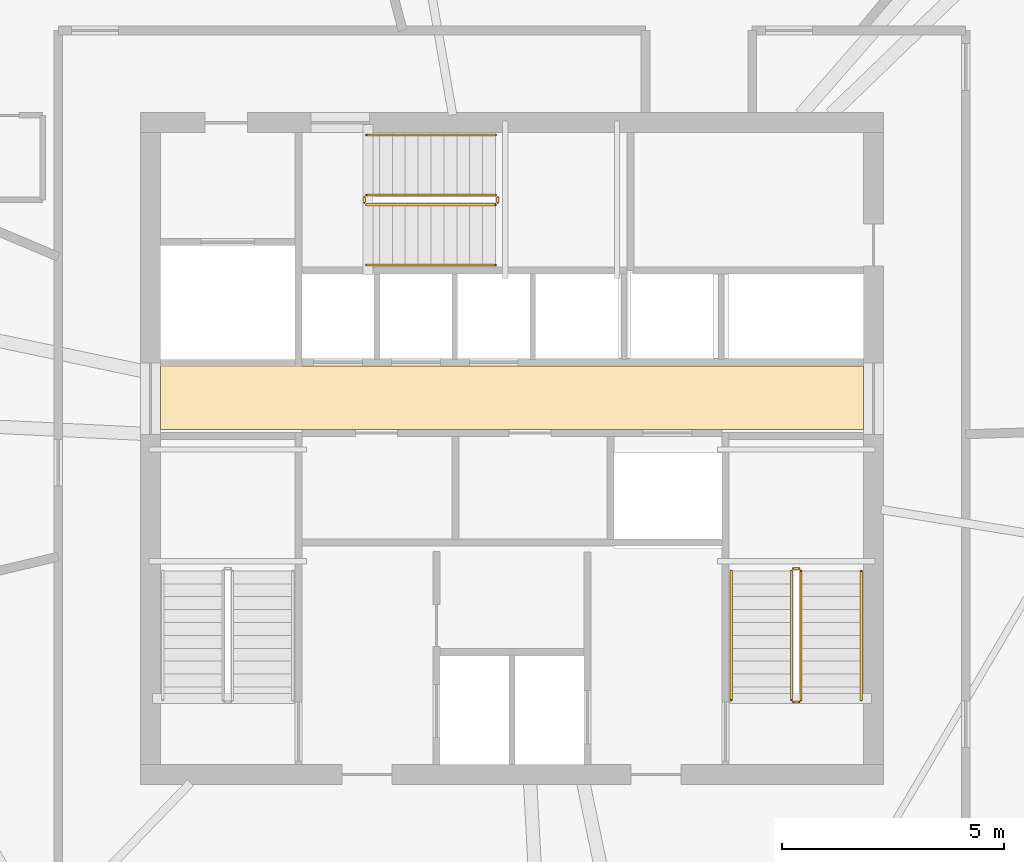
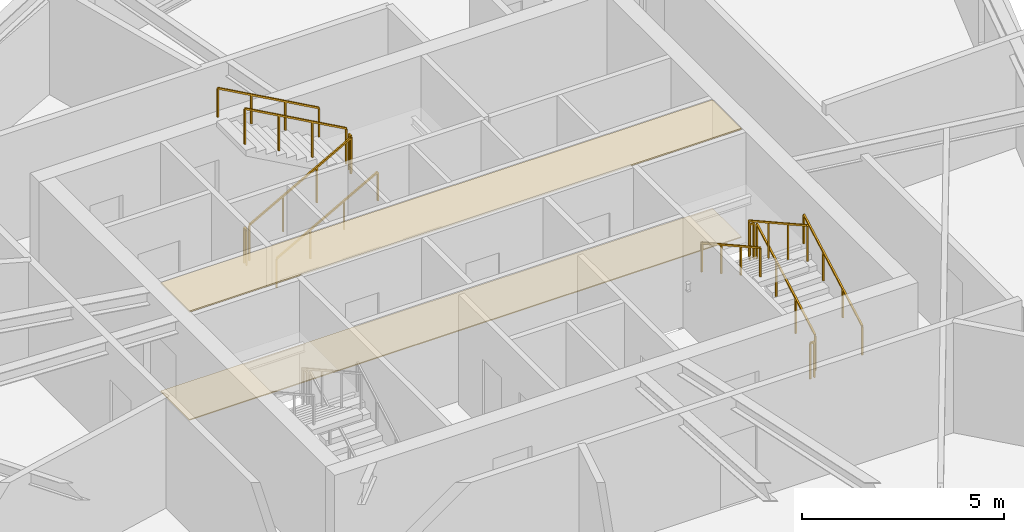
# One storey, part 13 of 14: 12 railings, 2 coverings.
"""IFC4 building model written with IfcOpenShell, lengths in metres."""

from ifc_helpers import new_model, si_unit, direction, frame, origin, origin_2d, place, context, subcontext, project, spatial, polyline, rectangle, outline, extrude, material, layer, layer_set, type_object, element, save


model = new_model("IFC4")

# Units and contexts
model_context = context("Model", 3, precision=1e-05, world=origin(), true_north=direction((0.0, 1.0)))
body_context = subcontext(model_context, "Body", "Model", "MODEL_VIEW")
ifc_project = project(units=[si_unit("LENGTHUNIT", "METRE"), si_unit("AREAUNIT", "SQUARE_METRE"), si_unit("VOLUMEUNIT", "CUBIC_METRE"), si_unit("PLANEANGLEUNIT", "RADIAN"), si_unit("MASSUNIT", "GRAM", prefix="KILO")], contexts=[model_context])

# Site, building, storey
site_placement = place(None, origin())
site = spatial("IfcSite", under=ifc_project, at=site_placement, CompositionType="ELEMENT")
building_placement = place(site_placement, origin())
building = spatial("IfcBuilding", under=site, at=building_placement, Name="Olszyna Solenne Hotel", CompositionType="ELEMENT")
storey_placement = place(building_placement, frame((0.0, 0.0, 220.25)))
storey = spatial("IfcBuildingStorey", under=building, at=storey_placement, Name="L58", CompositionType="ELEMENT", Elevation=220.25)

# Coverings
ifc_material_1 = material(Name="Mineral wool acoustic ceiling")
ifc_layer_1 = layer(ifc_material_1, 0.0400390625, Name="Mineral wool acoustic ceiling")
ifc_layer_set_1 = layer_set([ifc_layer_1], Name="Mineral wool acoustic ceiling")
covering_type_1 = type_object("IfcCoveringType", Name="CL-AC1", PredefinedType="CEILING", material=ifc_layer_set_1)
covering_1_placement = place(storey_placement, frame((0.0, 0.0, 3.27001953125)))
element("IfcCovering", 1, at=covering_1_placement, inside=storey, type_object=covering_type_1, Name="Lift lobby acoustic tile ceiling CL-L58-01", PredefinedType="CEILING", context=body_context, shape_type="SweptSolid", body=[
    extrude(outline(polyline([(30.10009765625, 27.030029296875), (45.89990234375, 27.030029296875), (45.89990234375, 28.4599609375), (30.10009765625, 28.4599609375), (30.10009765625, 27.030029296875)])), origin(), (0.0, 0.0, 1.0), 0.0400390625),
])
ifc_material_2 = material(Name="Ceramic floor tile")
ifc_layer_2 = layer(ifc_material_2, 0.030029296875, Name="Ceramic floor tile")
ifc_layer_set_2 = layer_set([ifc_layer_2], Name="Ceramic floor tile")
covering_type_2 = type_object("IfcCoveringType", Name="FL-TL1", PredefinedType="FLOORING", material=ifc_layer_set_2)
covering_2_placement = place(storey_placement, origin())
element("IfcCovering", 2, at=covering_2_placement, inside=storey, type_object=covering_type_2, Name="Lift lobby stoneware floor finish FLR-L58-01", PredefinedType="FLOORING", context=body_context, shape_type="SweptSolid", body=[
    extrude(outline(polyline([(30.10009765625, 27.030029296875), (45.89990234375, 27.030029296875), (45.89990234375, 28.4599609375), (30.10009765625, 28.4599609375), (30.10009765625, 27.030029296875)])), origin(), (0.0, 0.0, 1.0), 0.030029296875),
])

# Railings
ifc_material_3 = material(Name="Anodised bronze aluminium", Category="aluminium")
railing_type_1 = type_object("IfcRailingType", Name="GR-110", PredefinedType="BALUSTRADE", material=ifc_material_3)
railing_1_placement = place(storey_placement, frame((44.5, 20.949951171875, 0.161376953125)))
element("IfcRailing", 3, at=railing_1_placement, inside=storey, type_object=railing_type_1, Name="L58 ST2 stair guard 1", PredefinedType="BALUSTRADE", context=body_context, shape_type="SweptSolid", body=[
    extrude(rectangle(XDim=0.048095703125, YDim=0.048095703125, at=origin_2d()), frame((0.0, 0.0, 1.076171875), z_axis=(0.0, 0.873858693841, 0.486179990537), x_axis=(-1.0, 0.0, 0.0)), (0.0, 0.0, 1.0), 3.31884765625),
    extrude(rectangle(XDim=0.0419921875, YDim=0.0419921875, at=origin_2d()), origin(), (0.0, 0.0, 1.0), 1.052001953125),
    extrude(rectangle(XDim=0.0419921875, YDim=0.0419921875, at=origin_2d()), frame((0.0, 0.966796875, 0.537841796875)), (0.0, 0.0, 1.0), 1.052001953125),
    extrude(rectangle(XDim=0.0419921875, YDim=0.0419921875, at=origin_2d()), frame((0.0, 1.933349609375, 1.07568359375)), (0.0, 0.0, 1.0), 1.052001953125),
    extrude(rectangle(XDim=0.0419921875, YDim=0.0419921875, at=origin_2d()), frame((0.0, 2.900146484375, 1.613525390625)), (0.0, 0.0, 1.0), 1.052001953125),
])
railing_2_placement = place(storey_placement, frame((44.449951171875, 23.89990234375, 1.77490234375)))
element("IfcRailing", 4, at=railing_2_placement, inside=storey, type_object=railing_type_1, Name="L58 ST2 stair guard 2", PredefinedType="BALUSTRADE", context=body_context, shape_type="SweptSolid", body=[
    extrude(rectangle(XDim=0.048095703125, YDim=0.048095703125, at=origin_2d()), frame((0.0, 0.0, 1.076171875), z_axis=(-1.0, 0.0, 0.0), x_axis=(0.0, -1.0, 0.0)), (0.0, 0.0, 1.0), 0.119873046875),
    extrude(rectangle(XDim=0.0419921875, YDim=0.0419921875, at=origin_2d()), origin(), (0.0, 0.0, 1.0), 1.052001953125),
    extrude(rectangle(XDim=0.0419921875, YDim=0.0419921875, at=origin_2d()), frame((-0.119873046875, 0.0, 0.0)), (0.0, 0.0, 1.0), 1.052001953125),
])
railing_3_placement = place(storey_placement, frame((44.280029296875, 23.85009765625, 1.936279296875)))
element("IfcRailing", 5, at=railing_3_placement, inside=storey, type_object=railing_type_1, Name="L58 ST2 stair guard 3", PredefinedType="BALUSTRADE", context=body_context, shape_type="SweptSolid", body=[
    extrude(rectangle(XDim=0.048095703125, YDim=0.048095703125, at=origin_2d()), frame((0.0, 0.0, 1.076171875), z_axis=(0.0, -0.873827439584, 0.48623616261), x_axis=(1.0, 0.0, 0.0)), (0.0, 0.0, 1.0), 3.31884765625),
    extrude(rectangle(XDim=0.0419921875, YDim=0.0419921875, at=origin_2d()), origin(), (0.0, 0.0, 1.0), 1.052001953125),
    extrude(rectangle(XDim=0.0419921875, YDim=0.0419921875, at=origin_2d()), frame((0.0, -0.966796875, 0.537841796875)), (0.0, 0.0, 1.0), 1.052001953125),
    extrude(rectangle(XDim=0.0419921875, YDim=0.0419921875, at=origin_2d()), frame((0.0, -1.933349609375, 1.075927734375)), (0.0, 0.0, 1.0), 1.052001953125),
    extrude(rectangle(XDim=0.0419921875, YDim=0.0419921875, at=origin_2d()), frame((0.0, -2.900146484375, 1.61376953125)), (0.0, 0.0, 1.0), 1.052001953125),
])
railing_4_placement = place(storey_placement, frame((44.449951171875, 20.89990234375, 0.0)))
element("IfcRailing", 6, at=railing_4_placement, inside=storey, type_object=railing_type_1, Name="L58 ST2 stair guard 4", PredefinedType="BALUSTRADE", context=body_context, shape_type="SweptSolid", body=[
    extrude(rectangle(XDim=0.048095703125, YDim=0.048095703125, at=origin_2d()), frame((0.0, 0.0, 1.076171875), z_axis=(-1.0, 0.0, 0.0), x_axis=(0.0, -1.0, 0.0)), (0.0, 0.0, 1.0), 0.119873046875),
    extrude(rectangle(XDim=0.0419921875, YDim=0.0419921875, at=origin_2d()), origin(), (0.0, 0.0, 1.0), 1.052001953125),
    extrude(rectangle(XDim=0.0419921875, YDim=0.0419921875, at=origin_2d()), frame((-0.119873046875, 0.0, 0.0)), (0.0, 0.0, 1.0), 1.052001953125),
])
railing_5_placement = place(storey_placement, frame((34.72998046875, 32.080078125, 0.161376953125)))
element("IfcRailing", 7, at=railing_5_placement, inside=storey, type_object=railing_type_1, Name="L58 ST3 stair guard 1", PredefinedType="BALUSTRADE", context=body_context, shape_type="SweptSolid", body=[
    extrude(rectangle(XDim=0.048095703125, YDim=0.048095703125, at=origin_2d()), frame((0.0, 0.0, 1.076171875), z_axis=(0.873841303929, 0.0, 0.486211245805), x_axis=(0.0, 1.0, 0.0)), (0.0, 0.0, 1.0), 3.318603515625),
    extrude(rectangle(XDim=0.0419921875, YDim=0.0419921875, at=origin_2d()), origin(), (0.0, 0.0, 1.0), 1.052001953125),
    extrude(rectangle(XDim=0.0419921875, YDim=0.0419921875, at=origin_2d()), frame((0.966552734375, 0.0, 0.537841796875)), (0.0, 0.0, 1.0), 1.052001953125),
    extrude(rectangle(XDim=0.0419921875, YDim=0.0419921875, at=origin_2d()), frame((1.933349609375, 0.0, 1.07568359375)), (0.0, 0.0, 1.0), 1.052001953125),
    extrude(rectangle(XDim=0.0419921875, YDim=0.0419921875, at=origin_2d()), frame((2.89990234375, 0.0, 1.613525390625)), (0.0, 0.0, 1.0), 1.052001953125),
])
railing_6_placement = place(storey_placement, frame((37.679931640625, 32.1298828125, 1.77490234375)))
element("IfcRailing", 8, at=railing_6_placement, inside=storey, type_object=railing_type_1, Name="L58 ST3 stair guard 2", PredefinedType="BALUSTRADE", context=body_context, shape_type="SweptSolid", body=[
    extrude(rectangle(XDim=0.048095703125, YDim=0.048095703125, at=origin_2d()), frame((0.0, 0.0, 1.076171875), z_axis=(0.0, 1.0, 0.0), x_axis=(-1.0, 0.0, 0.0)), (0.0, 0.0, 1.0), 0.1201171875),
    extrude(rectangle(XDim=0.0419921875, YDim=0.0419921875, at=origin_2d()), origin(), (0.0, 0.0, 1.0), 1.052001953125),
    extrude(rectangle(XDim=0.0419921875, YDim=0.0419921875, at=origin_2d()), frame((0.0, 0.1201171875, 0.0)), (0.0, 0.0, 1.0), 1.052001953125),
])
railing_7_placement = place(storey_placement, frame((37.6298828125, 32.300048828125, 1.936279296875)))
element("IfcRailing", 9, at=railing_7_placement, inside=storey, type_object=railing_type_1, Name="L58 ST3 stair guard 3", PredefinedType="BALUSTRADE", context=body_context, shape_type="SweptSolid", body=[
    extrude(rectangle(XDim=0.048095703125, YDim=0.048095703125, at=origin_2d()), frame((0.0, 0.0, 1.076171875), z_axis=(-0.873810046276, 0.0, 0.486267419253), x_axis=(0.0, -1.0, 0.0)), (0.0, 0.0, 1.0), 3.318603515625),
    extrude(rectangle(XDim=0.0419921875, YDim=0.0419921875, at=origin_2d()), origin(), (0.0, 0.0, 1.0), 1.052001953125),
    extrude(rectangle(XDim=0.0419921875, YDim=0.0419921875, at=origin_2d()), frame((-0.966552734375, 0.0, 0.537841796875)), (0.0, 0.0, 1.0), 1.052001953125),
    extrude(rectangle(XDim=0.0419921875, YDim=0.0419921875, at=origin_2d()), frame((-1.933349609375, 0.0, 1.075927734375)), (0.0, 0.0, 1.0), 1.052001953125),
    extrude(rectangle(XDim=0.0419921875, YDim=0.0419921875, at=origin_2d()), frame((-2.89990234375, 0.0, 1.61376953125)), (0.0, 0.0, 1.0), 1.052001953125),
])
railing_8_placement = place(storey_placement, frame((34.679931640625, 32.1298828125, 0.0)))
element("IfcRailing", 10, at=railing_8_placement, inside=storey, type_object=railing_type_1, Name="L58 ST3 stair guard 4", PredefinedType="BALUSTRADE", context=body_context, shape_type="SweptSolid", body=[
    extrude(rectangle(XDim=0.048095703125, YDim=0.048095703125, at=origin_2d()), frame((0.0, 0.0, 1.076171875), z_axis=(0.0, 1.0, 0.0), x_axis=(-1.0, 0.0, 0.0)), (0.0, 0.0, 1.0), 0.1201171875),
    extrude(rectangle(XDim=0.0419921875, YDim=0.0419921875, at=origin_2d()), origin(), (0.0, 0.0, 1.0), 1.052001953125),
    extrude(rectangle(XDim=0.0419921875, YDim=0.0419921875, at=origin_2d()), frame((0.0, 0.1201171875, 0.0)), (0.0, 0.0, 1.0), 1.052001953125),
])
ifc_material_4 = material(Name="Steel S355J2", Category="steel")
railing_type_2 = type_object("IfcRailingType", Name="HR-090", PredefinedType="HANDRAIL", material=ifc_material_4)
railing_9_placement = place(storey_placement, frame((45.85009765625, 20.949951171875, 0.161376953125)))
element("IfcRailing", 11, at=railing_9_placement, inside=storey, type_object=railing_type_2, Name="L58 ST2 stair handrail 1", PredefinedType="HANDRAIL", context=body_context, shape_type="SweptSolid", body=[
    extrude(rectangle(XDim=0.048095703125, YDim=0.048095703125, at=origin_2d()), frame((0.0, 0.0, 0.8759765625), z_axis=(0.0, 0.873858693841, 0.486179990537), x_axis=(-1.0, 0.0, 0.0)), (0.0, 0.0, 1.0), 3.31884765625),
    extrude(rectangle(XDim=0.0419921875, YDim=0.0419921875, at=origin_2d()), origin(), (0.0, 0.0, 1.0), 0.851806640625),
    extrude(rectangle(XDim=0.0419921875, YDim=0.0419921875, at=origin_2d()), frame((0.0, 0.966796875, 0.537841796875)), (0.0, 0.0, 1.0), 0.851806640625),
    extrude(rectangle(XDim=0.0419921875, YDim=0.0419921875, at=origin_2d()), frame((0.0, 1.933349609375, 1.07568359375)), (0.0, 0.0, 1.0), 0.851806640625),
    extrude(rectangle(XDim=0.0419921875, YDim=0.0419921875, at=origin_2d()), frame((0.0, 2.900146484375, 1.613525390625)), (0.0, 0.0, 1.0), 0.851806640625),
])
railing_10_placement = place(storey_placement, frame((42.929931640625, 23.85009765625, 1.936279296875)))
element("IfcRailing", 12, at=railing_10_placement, inside=storey, type_object=railing_type_2, Name="L58 ST2 stair handrail 2", PredefinedType="HANDRAIL", context=body_context, shape_type="SweptSolid", body=[
    extrude(rectangle(XDim=0.048095703125, YDim=0.048095703125, at=origin_2d()), frame((0.0, 0.0, 0.8759765625), z_axis=(0.0, -0.873827439584, 0.48623616261), x_axis=(1.0, 0.0, 0.0)), (0.0, 0.0, 1.0), 3.31884765625),
    extrude(rectangle(XDim=0.0419921875, YDim=0.0419921875, at=origin_2d()), origin(), (0.0, 0.0, 1.0), 0.851806640625),
    extrude(rectangle(XDim=0.0419921875, YDim=0.0419921875, at=origin_2d()), frame((0.0, -0.966796875, 0.537841796875)), (0.0, 0.0, 1.0), 0.851806640625),
    extrude(rectangle(XDim=0.0419921875, YDim=0.0419921875, at=origin_2d()), frame((0.0, -1.933349609375, 1.075927734375)), (0.0, 0.0, 1.0), 0.851806640625),
    extrude(rectangle(XDim=0.0419921875, YDim=0.0419921875, at=origin_2d()), frame((0.0, -2.900146484375, 1.61376953125)), (0.0, 0.0, 1.0), 0.851806640625),
])
railing_11_placement = place(storey_placement, frame((34.72998046875, 30.72998046875, 0.161376953125)))
element("IfcRailing", 13, at=railing_11_placement, inside=storey, type_object=railing_type_2, Name="L58 ST3 stair handrail 1", PredefinedType="HANDRAIL", context=body_context, shape_type="SweptSolid", body=[
    extrude(rectangle(XDim=0.048095703125, YDim=0.048095703125, at=origin_2d()), frame((0.0, 0.0, 0.8759765625), z_axis=(0.873841303929, 0.0, 0.486211245805), x_axis=(0.0, 1.0, 0.0)), (0.0, 0.0, 1.0), 3.318603515625),
    extrude(rectangle(XDim=0.0419921875, YDim=0.0419921875, at=origin_2d()), origin(), (0.0, 0.0, 1.0), 0.851806640625),
    extrude(rectangle(XDim=0.0419921875, YDim=0.0419921875, at=origin_2d()), frame((0.966552734375, 0.0, 0.537841796875)), (0.0, 0.0, 1.0), 0.851806640625),
    extrude(rectangle(XDim=0.0419921875, YDim=0.0419921875, at=origin_2d()), frame((1.933349609375, 0.0, 1.07568359375)), (0.0, 0.0, 1.0), 0.851806640625),
    extrude(rectangle(XDim=0.0419921875, YDim=0.0419921875, at=origin_2d()), frame((2.89990234375, 0.0, 1.613525390625)), (0.0, 0.0, 1.0), 0.851806640625),
])
railing_12_placement = place(storey_placement, frame((37.6298828125, 33.64990234375, 1.936279296875)))
element("IfcRailing", 14, at=railing_12_placement, inside=storey, type_object=railing_type_2, Name="L58 ST3 stair handrail 2", PredefinedType="HANDRAIL", context=body_context, shape_type="SweptSolid", body=[
    extrude(rectangle(XDim=0.048095703125, YDim=0.048095703125, at=origin_2d()), frame((0.0, 0.0, 0.8759765625), z_axis=(-0.873810046276, 0.0, 0.486267419253), x_axis=(0.0, -1.0, 0.0)), (0.0, 0.0, 1.0), 3.318603515625),
    extrude(rectangle(XDim=0.0419921875, YDim=0.0419921875, at=origin_2d()), origin(), (0.0, 0.0, 1.0), 0.851806640625),
    extrude(rectangle(XDim=0.0419921875, YDim=0.0419921875, at=origin_2d()), frame((-0.966552734375, 0.0, 0.537841796875)), (0.0, 0.0, 1.0), 0.851806640625),
    extrude(rectangle(XDim=0.0419921875, YDim=0.0419921875, at=origin_2d()), frame((-1.933349609375, 0.0, 1.075927734375)), (0.0, 0.0, 1.0), 0.851806640625),
    extrude(rectangle(XDim=0.0419921875, YDim=0.0419921875, at=origin_2d()), frame((-2.89990234375, 0.0, 1.61376953125)), (0.0, 0.0, 1.0), 0.851806640625),
])

save(model, "model.ifc")
